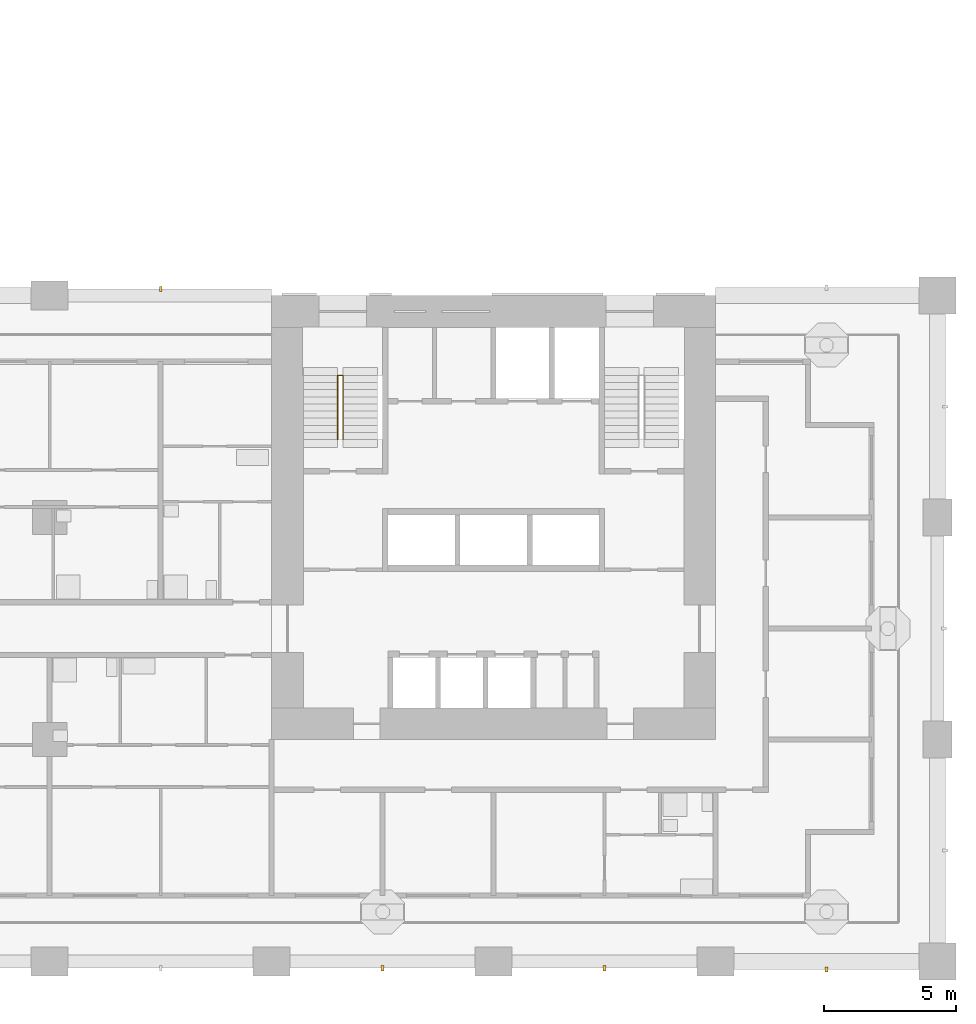
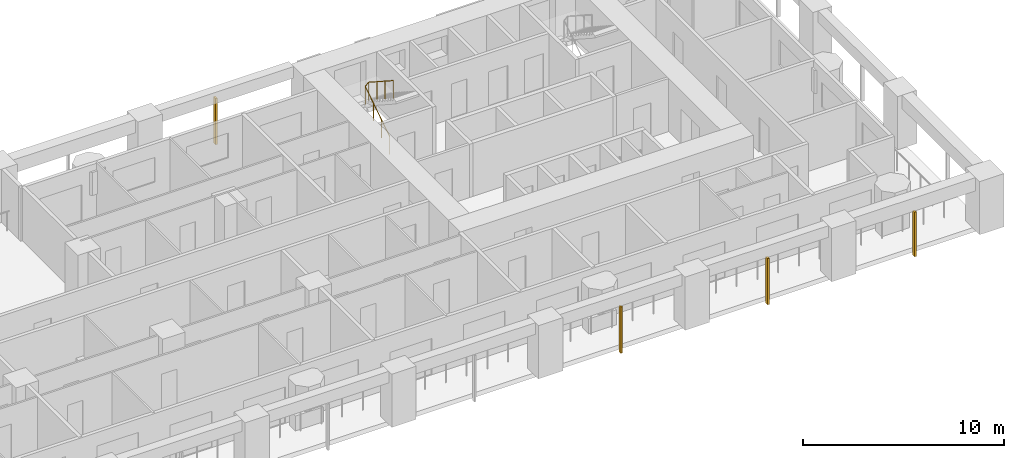
# One storey, part 12 of 20: 4 shading devices, 1 railing.
"""IFC4 building model written with IfcOpenShell, lengths in metres."""

import ifcopenshell
import ifcopenshell.guid

model = None  # the IFC model being written
_history = None  # IfcOwnerHistory: only IFC2X3 demands one
_inside = {}  # id of a spatial element -> (the spatial element, [elements in it])
_under = {}  # id of a project, library or spatial element -> (it, [spatial elements below it])
_declared = {}  # id of a project -> (the project, [libraries it declares])
_typed = {}  # id of a type object -> (the type object, [elements of that type])
_made_of = {}  # id of a material, layer set ... -> (it, [elements and type objects made of it])


def new_model(schema):
    """Start an empty IFC model of exactly this schema.

    Asked for "IFC4X3", IfcOpenShell would pick the latest addendum, in which some entities
    have other attributes; the version numbers below select the first issue.
    IFC2X3 requires an IfcOwnerHistory on every rooted entity: one is made here for all.
    """
    global model, _history
    if schema == "IFC4X3":
        model = ifcopenshell.file(schema_version=(4, 3, 0, 0))
    else:
        model = ifcopenshell.file(schema=schema)
    _inside.clear()
    _under.clear()
    _declared.clear()
    _typed.clear()
    _made_of.clear()
    _history = None
    if model.schema == "IFC2X3":
        org = make("IfcOrganization", Name="unknown")
        user = make(
            "IfcPersonAndOrganization",
            ThePerson=make("IfcPerson", FamilyName="unknown"),
            TheOrganization=org,
        )
        app = make(
            "IfcApplication",
            ApplicationDeveloper=org,
            Version="unknown",
            ApplicationFullName="unknown",
            ApplicationIdentifier="unknown",
        )
        _history = make(
            "IfcOwnerHistory",
            OwningUser=user,
            OwningApplication=app,
            ChangeAction="ADDED",
            CreationDate=0,
        )
    return model


def make(cls, **values):
    """One entity of the class cls with the attributes given. An attribute that is None is left unset."""
    return model.create_entity(
        cls, **{name: value for name, value in values.items() if value is not None}
    )


def rooted(cls, **values):
    """An entity with a GlobalId (a new one), such as an element, a storey or a relation."""
    return make(cls, GlobalId=ifcopenshell.guid.new(), OwnerHistory=_history, **values)


def si_unit(unit_type, name, prefix=None):
    """IfcSIUnit, for example si_unit("LENGTHUNIT", "METRE", prefix="MILLI")."""
    return make("IfcSIUnit", UnitType=unit_type, Prefix=prefix, Name=name)


def assignment(units):
    """IfcUnitAssignment: the units of a project."""
    return None if units is None else make("IfcUnitAssignment", Units=units)


def point(xyz):
    """IfcCartesianPoint."""
    return None if xyz is None else make("IfcCartesianPoint", Coordinates=xyz)


def direction(xyz):
    """IfcDirection."""
    return None if xyz is None else make("IfcDirection", DirectionRatios=xyz)


def frame(location, z_axis=None, x_axis=None):
    """IfcAxis2Placement3D, a coordinate frame: its origin and axes. An axis left out is left unset."""
    return make(
        "IfcAxis2Placement3D",
        Location=point(location),
        Axis=direction(z_axis),
        RefDirection=direction(x_axis),
    )


def frame_2d(location, x_axis=None):
    """IfcAxis2Placement2D, a coordinate frame in the plane: its origin and x axis."""
    return make(
        "IfcAxis2Placement2D", Location=point(location), RefDirection=direction(x_axis)
    )


def origin():
    """The frame at (0, 0, 0) with its axes left unset."""
    return frame((0.0, 0.0, 0.0))


def origin_2d():
    """The frame at (0, 0) in the plane with its x axis left unset."""
    return frame_2d((0.0, 0.0))


def place(relative_to, where):
    """IfcLocalPlacement: puts the frame where relative to a parent placement (None: the world)."""
    return make(
        "IfcLocalPlacement", PlacementRelTo=relative_to, RelativePlacement=where
    )


def context(
    kind, dimensions, precision=None, world=None, true_north=None, identifier=None
):
    """IfcGeometricRepresentationContext, for example the 3D "Model" context."""
    return make(
        "IfcGeometricRepresentationContext",
        ContextIdentifier=identifier,
        ContextType=kind,
        CoordinateSpaceDimension=dimensions,
        Precision=precision,
        WorldCoordinateSystem=world,
        TrueNorth=true_north,
    )


def subcontext(parent, identifier, kind, view, scale=None):
    """IfcGeometricRepresentationSubContext, for example "Body" below "Model"."""
    return make(
        "IfcGeometricRepresentationSubContext",
        ContextIdentifier=identifier,
        ContextType=kind,
        ParentContext=parent,
        TargetScale=scale,
        TargetView=view,
    )


def project(units=None, contexts=None):
    """IfcProject with its units and contexts."""
    return rooted(
        "IfcProject",
        Name="project",
        RepresentationContexts=contexts,
        UnitsInContext=assignment(units),
    )


def spatial(cls, under=None, at=None, **own):
    """A site, building, storey or space (cls), placed at a placement, below another one or the project."""
    s = rooted(cls, ObjectPlacement=at, **own)
    if under is not None:
        _under.setdefault(under.id(), (under, []))[1].append(s)
    return s


def profile(cls, at=None, kind="AREA", **sizes):
    """A parametric profile (cls). Its sizes go by their IFC names, for example OverallWidth=200.0."""
    return make(cls, ProfileType=kind, Position=at, **sizes)


def rectangle(**sizes):
    """IfcRectangleProfileDef."""
    return profile("IfcRectangleProfileDef", **sizes)


def circle(**sizes):
    """IfcCircleProfileDef."""
    return profile("IfcCircleProfileDef", **sizes)


def extrude(swept, where, along, depth):
    """IfcExtrudedAreaSolid: the profile swept, set in the frame where, extruded along a direction by depth."""
    return make(
        "IfcExtrudedAreaSolid",
        SweptArea=swept,
        Position=where,
        ExtrudedDirection=direction(along),
        Depth=depth,
    )


def shape(context_of_items, identifier, shape_type, items):
    """IfcShapeRepresentation: the items that make up one representation, for example the "Body"."""
    return make(
        "IfcShapeRepresentation",
        ContextOfItems=context_of_items,
        RepresentationIdentifier=identifier,
        RepresentationType=shape_type,
        Items=items,
    )


def material(Name=None, Category=None):
    """IfcMaterial."""
    return make("IfcMaterial", Name=Name, Category=Category)


def material_profile(
    of_material, cross_section, Name=None, Category=None, Priority=None
):
    """IfcMaterialProfile: a cross section and its material."""
    return make(
        "IfcMaterialProfile",
        Name=Name,
        Material=of_material,
        Profile=cross_section,
        Priority=Priority,
        Category=Category,
    )


def profile_set(profiles, Name=None, composite=None):
    """IfcMaterialProfileSet."""
    return make(
        "IfcMaterialProfileSet",
        Name=Name,
        MaterialProfiles=profiles,
        CompositeProfile=composite,
    )


def made_of(thing, what):
    """Note that an element or type object is made of a material, layer set ...; save() writes the relation."""
    if what is not None:
        _made_of.setdefault(what.id(), (what, []))[1].append(thing)
    return thing


def type_object(cls, material=None, **own):
    """A type object (cls), such as IfcWallType, which elements share."""
    return made_of(rooted(cls, **own), material)


def element(
    cls,
    number,
    at=None,
    inside=None,
    cuts=None,
    type_object=None,
    material=None,
    context=None,
    identifier="Body",
    shape_type=None,
    held_by="IfcProductDefinitionShape",
    body=None,
    shapes=None,
    **own,
):
    """One element of the class cls, such as IfcWall. Its Tag is "e" and its number.

    at: its placement. inside: the storey or other place that contains it. cuts: it is an
    opening in that element (IfcRelVoidsElement). A single representation is given by context,
    identifier, shape_type and body (its items); several are given by shapes. held_by: the class
    of the entity that holds the representations. save() writes the other relations.
    """
    e = rooted(cls, Tag="e%d" % number, ObjectPlacement=at, **own)
    if body is not None:
        shapes = [shape(context, identifier, shape_type, body)]
    if shapes is not None:
        e.Representation = make(held_by, Representations=shapes)
    if inside is not None:
        _inside.setdefault(inside.id(), (inside, []))[1].append(e)
    if cuts is not None:
        rooted(
            "IfcRelVoidsElement", RelatingBuildingElement=cuts, RelatedOpeningElement=e
        )
    if type_object is not None:
        _typed.setdefault(type_object.id(), (type_object, []))[1].append(e)
    return made_of(e, material)


def aggregate(whole, parts):
    """IfcRelAggregates: a whole, such as a stair, and the parts it consists of."""
    return rooted("IfcRelAggregates", RelatingObject=whole, RelatedObjects=parts)


def save(model, path):
    """Write the relations noted so far, then the file.

    IfcRelAggregates (storeys below a building ...), IfcRelContainedInSpatialStructure (elements
    in a storey), IfcRelDefinesByType, IfcRelAssociatesMaterial and IfcRelDeclares: one each for
    every whole, place, type object, material and project.
    """
    for whole, parts in _under.values():
        aggregate(whole, parts)
    for where, things in _inside.values():
        rooted(
            "IfcRelContainedInSpatialStructure",
            RelatedElements=things,
            RelatingStructure=where,
        )
    for kind, things in _typed.values():
        rooted("IfcRelDefinesByType", RelatedObjects=things, RelatingType=kind)
    for what, things in _made_of.values():
        rooted("IfcRelAssociatesMaterial", RelatedObjects=things, RelatingMaterial=what)
    for by, libraries in _declared.values():
        rooted("IfcRelDeclares", RelatingContext=by, RelatedDefinitions=libraries)
    model.write(path)


model = new_model("IFC4")

# Units and contexts
model_context = context("Model", 3, precision=1e-05, world=origin(), true_north=direction((0.0, 1.0)))
body_context = subcontext(model_context, "Body", "Model", "MODEL_VIEW")
ifc_project = project(units=[si_unit("LENGTHUNIT", "METRE"), si_unit("AREAUNIT", "SQUARE_METRE"), si_unit("VOLUMEUNIT", "CUBIC_METRE"), si_unit("PLANEANGLEUNIT", "RADIAN"), si_unit("MASSUNIT", "GRAM", prefix="KILO")], contexts=[model_context])

# Site, building, storey
site_placement = place(None, origin())
site = spatial("IfcSite", under=ifc_project, at=site_placement, CompositionType="ELEMENT")
building_placement = place(site_placement, origin())
building = spatial("IfcBuilding", under=site, at=building_placement, Name="Vermilion Gate Residences", CompositionType="ELEMENT")
storey_placement = place(building_placement, frame((0.0, 0.0, 35.699951171875)))
storey = spatial("IfcBuildingStorey", under=building, at=storey_placement, Name="L07", CompositionType="ELEMENT", Elevation=35.699951171875)

# Railing
ifc_material_1 = material(Name="Steel S355", Category="steel")
railing_type = type_object("IfcRailingType", Name="STAIR GUARD 1100 STEEL", PredefinedType="GUARDRAIL", material=ifc_material_1)
railing_placement = place(storey_placement, frame((44.5, 19.75, 0.175048828125)))
element("IfcRailing", 1, at=railing_placement, inside=storey, type_object=railing_type, Name="Stair well guard STA1-07", PredefinedType="GUARDRAIL", context=body_context, shape_type="SweptSolid", body=[
    extrude(circle(Radius=0.02392578125, at=origin_2d()), frame((0.0, 0.0, 1.076171875), z_axis=(0.0, 0.839153699163, 0.543894354798), x_axis=(-1.0, 0.0, 0.0)), (0.0, 0.0, 1.0), 2.895751953125),
    extrude(circle(Radius=0.02392578125, at=origin_2d()), frame((0.0, 2.429931640625, 2.65087890625), z_axis=(0.752405939678, 0.0, 0.658699705433), x_axis=(0.0, 1.0, 0.0)), (0.0, 0.0, 1.0), 0.265869140625),
    extrude(circle(Radius=0.02392578125, at=origin_2d()), frame((0.199951171875, 2.429931640625, 2.826171875), z_axis=(0.0, -0.839153699163, 0.543894354798), x_axis=(1.0, 0.0, 0.0)), (0.0, 0.0, 1.0), 2.895751953125),
    extrude(circle(Radius=0.02099609375, at=origin_2d()), origin(), (0.0, 0.0, 1.0), 1.052001953125),
    extrude(circle(Radius=0.02099609375, at=origin_2d()), frame((0.0, 0.81005859375, 0.52490234375)), (0.0, 0.0, 1.0), 1.052001953125),
    extrude(circle(Radius=0.02099609375, at=origin_2d()), frame((0.0, 1.619873046875, 1.050048828125)), (0.0, 0.0, 1.0), 1.052001953125),
    extrude(circle(Radius=0.02099609375, at=origin_2d()), frame((0.0, 2.429931640625, 1.574951171875)), (0.0, 0.0, 1.0), 1.052001953125),
    extrude(circle(Radius=0.02099609375, at=origin_2d()), frame((0.199951171875, 2.429931640625, 1.75)), (0.0, 0.0, 1.0), 1.052001953125),
    extrude(circle(Radius=0.02099609375, at=origin_2d()), frame((0.199951171875, 1.619873046875, 2.27490234375)), (0.0, 0.0, 1.0), 1.052001953125),
    extrude(circle(Radius=0.02099609375, at=origin_2d()), frame((0.199951171875, 0.81005859375, 2.800048828125)), (0.0, 0.0, 1.0), 1.052001953125),
    extrude(circle(Radius=0.02099609375, at=origin_2d()), frame((0.199951171875, 0.0, 3.324951171875)), (0.0, 0.0, 1.0), 1.052001953125),
])

# Shading devices
ifc_material_2 = material(Name="Extruded terracotta", Category="masonry")
ifc_material_profile = material_profile(ifc_material_2, rectangle(XDim=0.199951171875, YDim=0.10009765625, at=origin_2d()), Name="BAGUETTE 100 X 200")
ifc_profile_set = profile_set([ifc_material_profile], Name="Extruded terracotta")
shading_device_type = type_object("IfcShadingDeviceType", Name="TERRACOTTA BAGUETTE 100 X 200", PredefinedType="JALOUSIE", material=ifc_profile_set)
for number, where, z_axis, x_axis, name in (
    (2, (46.199951171875, -0.25, -0.280029296875), (0.0, 0.0, 1.0), (0.0, 1.0, 0.0), "BAGUETTE"),
    (3, (54.60009765625, -0.25, -0.280029296875), (0.0, 0.0, 1.0), (0.0, 1.0, 0.0), "BAGUETTE"),
):
    element("IfcShadingDevice", number, at=place(storey_placement, frame(where, z_axis=z_axis, x_axis=x_axis)), inside=storey, type_object=shading_device_type, Name=name, PredefinedType="JALOUSIE", context=body_context, shape_type="SweptSolid", body=[
        extrude(rectangle(XDim=0.199951171875, YDim=0.10009765625, at=origin_2d()), origin(), (0.0, 0.0, 1.0), 2.800048828125),
    ])
shading_device_1_placement = place(storey_placement, frame((63.0, -0.300048828125, -0.280029296875), z_axis=(0.0, 0.0, 1.0), x_axis=(0.0, 1.0, 0.0)))
element("IfcShadingDevice", 4, at=shading_device_1_placement, inside=storey, type_object=shading_device_type, Name="BAGUETTE", PredefinedType="JALOUSIE", context=body_context, shape_type="SweptSolid", body=[
    extrude(rectangle(XDim=0.199951171875, YDim=0.10009765625, at=origin_2d()), origin(), (0.0, 0.0, 1.0), 2.7001953125),
])
shading_device_2_placement = place(storey_placement, frame((37.800048828125, 25.449951171875, -0.280029296875), z_axis=(0.0, 0.0, 1.0), x_axis=(0.0, -1.0, 0.0)))
element("IfcShadingDevice", 5, at=shading_device_2_placement, inside=storey, type_object=shading_device_type, Name="BAGUETTE", PredefinedType="JALOUSIE", context=body_context, shape_type="SweptSolid", body=[
    extrude(rectangle(XDim=0.199951171875, YDim=0.10009765625, at=origin_2d()), origin(), (0.0, 0.0, 1.0), 2.800048828125),
])

save(model, "model.ifc")
